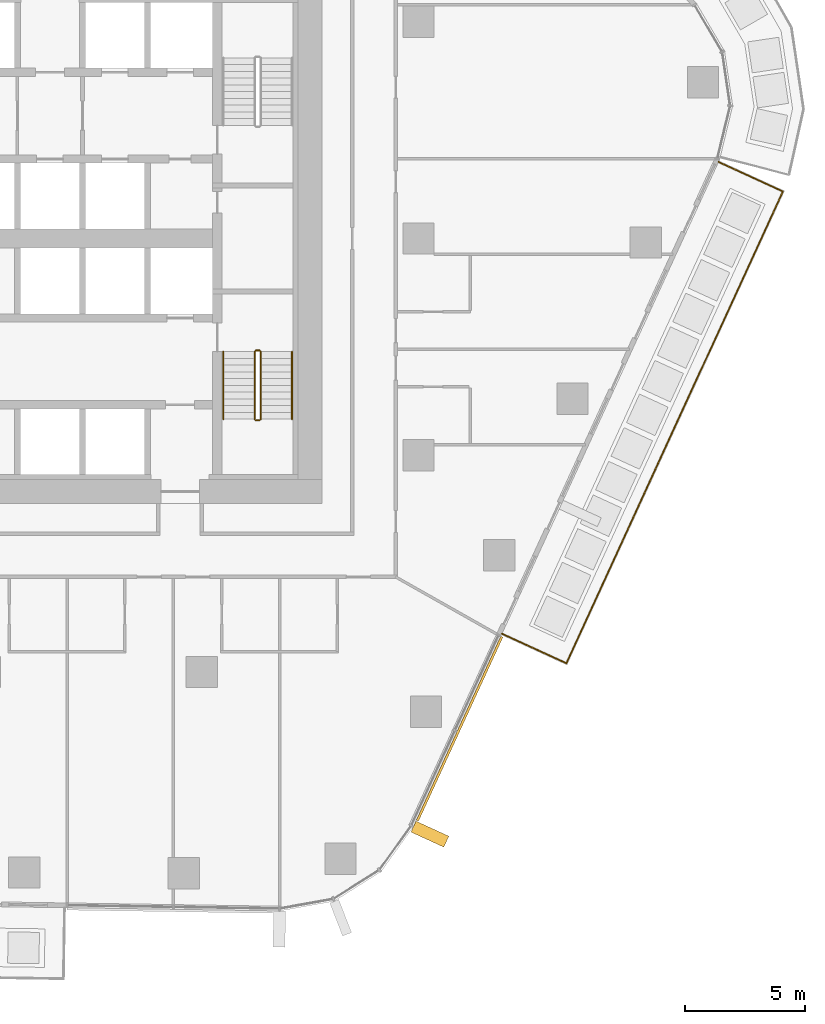
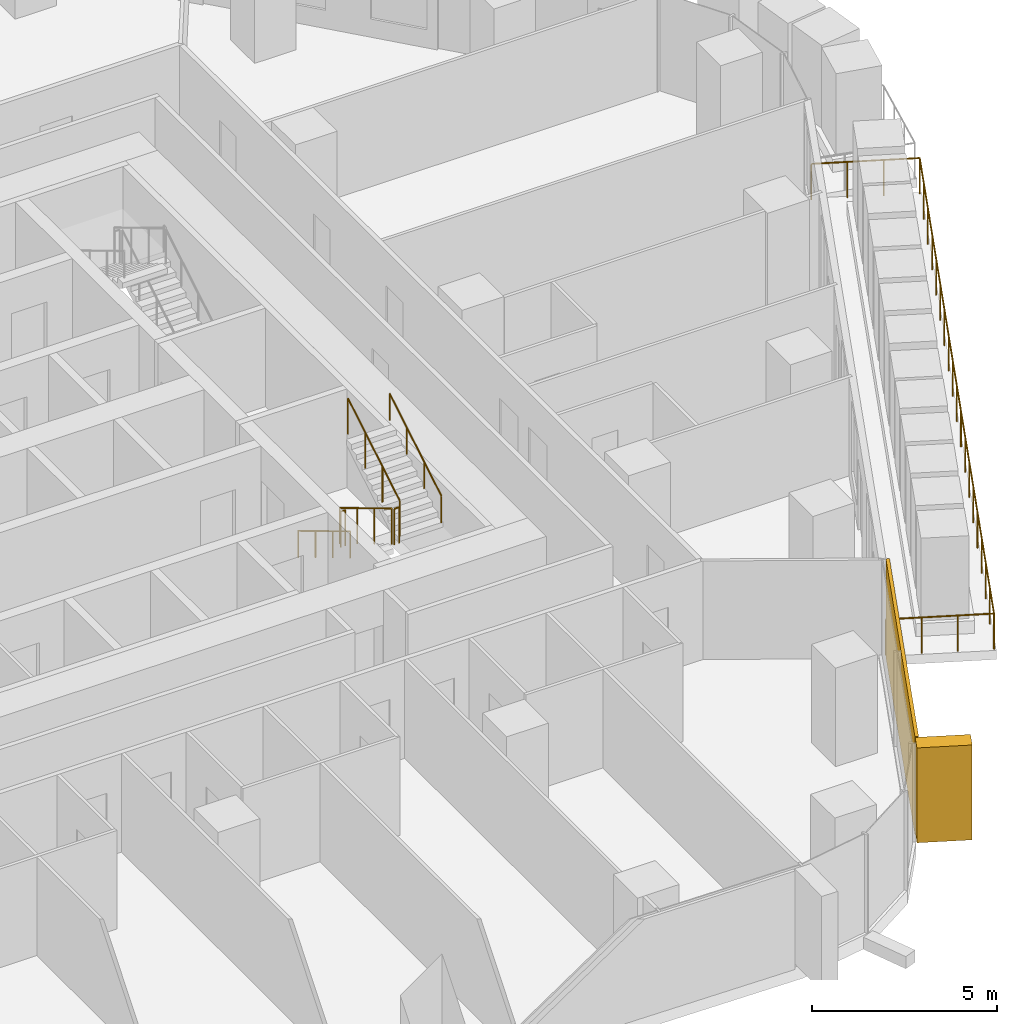
# One storey, part 21 of 24: 7 railings, 2 coverings, 1 element without a shape of its own.
"""IFC4 building model written with IfcOpenShell, lengths in metres."""

from ifc_helpers import new_model, si_unit, direction, frame, origin, origin_2d, place, context, subcontext, project, spatial, rectangle, circle, extrude, material, layer, layer_set, material_profile, profile_set, type_object, element, aggregate, save


model = new_model("IFC4")

# Units and contexts
model_context = context("Model", 3, precision=1e-05, world=origin(), true_north=direction((0.0, 1.0)))
body_context = subcontext(model_context, "Body", "Model", "MODEL_VIEW")
ifc_project = project(units=[si_unit("LENGTHUNIT", "METRE"), si_unit("AREAUNIT", "SQUARE_METRE"), si_unit("VOLUMEUNIT", "CUBIC_METRE"), si_unit("PLANEANGLEUNIT", "RADIAN"), si_unit("MASSUNIT", "GRAM", prefix="KILO")], contexts=[model_context])

# Site, building, storey
site_placement = place(None, origin())
site = spatial("IfcSite", under=ifc_project, at=site_placement, CompositionType="ELEMENT")
building_placement = place(site_placement, origin())
building = spatial("IfcBuilding", under=site, at=building_placement, Name="Dongbaek Canopy Tower", CompositionType="ELEMENT")
storey_placement = place(building_placement, frame((0.0, 0.0, 98.89990234375)))
storey = spatial("IfcBuildingStorey", under=building, at=storey_placement, Name="L20", CompositionType="ELEMENT", Elevation=98.89990234375)

# Railing
ifc_material_1 = material(Name="Stainless steel", Category="steel")
railing_type_1 = type_object("IfcRailingType", Name="Balcony balustrade 1200", PredefinedType="BALUSTRADE", material=ifc_material_1)
railing_1_placement = place(storey_placement, frame((21.466064453125, -16.409912109375, 0.0)))
element("IfcRailing", 1, at=railing_1_placement, inside=storey, type_object=railing_type_1, Name="Balcony guard L20 5", PredefinedType="BALUSTRADE", context=body_context, shape_type="SweptSolid", body=[
    extrude(circle(Radius=0.02392578125, at=origin_2d()), frame((0.0, 0.0, 1.17578125), z_axis=(0.908844513513, -0.417135050382, 0.0), x_axis=(0.417135050382, 0.908844513513, 0.0)), (0.0, 0.0, 1.0), 2.93994140625),
    extrude(circle(Radius=0.02392578125, at=origin_2d()), frame((2.671875, -1.226318359375, 1.17578125), z_axis=(0.41713053938, 0.908846583927, 0.0), x_axis=(-0.908846583927, 0.41713053938, 0.0)), (0.0, 0.0, 1.0), 21.551513671875),
    extrude(circle(Radius=0.02392578125, at=origin_2d()), frame((11.66162109375, 18.360595703125, 1.17578125), z_axis=(-0.908858961845, 0.417103569241, 0.0), x_axis=(-0.417103569241, -0.908858961845, 0.0)), (0.0, 0.0, 1.0), 2.940185546875),
    extrude(circle(Radius=0.02099609375, at=origin_2d()), origin(), (0.0, 0.0, 1.0), 1.15185546875),
    extrude(circle(Radius=0.02099609375, at=origin_2d()), frame((0.890625, -0.40869140625, 0.0)), (0.0, 0.0, 1.0), 1.15185546875),
    extrude(circle(Radius=0.02099609375, at=origin_2d()), frame((1.78125, -0.817626953125, 0.0)), (0.0, 0.0, 1.0), 1.15185546875),
    extrude(circle(Radius=0.02099609375, at=origin_2d()), frame((2.671875, -1.226318359375, 0.0)), (0.0, 0.0, 1.0), 1.15185546875),
    extrude(circle(Radius=0.02099609375, at=origin_2d()), frame((3.17138671875, -0.13818359375, 0.0)), (0.0, 0.0, 1.0), 1.15185546875),
    extrude(circle(Radius=0.02099609375, at=origin_2d()), frame((3.670654296875, 0.949951171875, 0.0)), (0.0, 0.0, 1.0), 1.15185546875),
    extrude(circle(Radius=0.02099609375, at=origin_2d()), frame((4.170166015625, 2.0380859375, 0.0)), (0.0, 0.0, 1.0), 1.15185546875),
    extrude(circle(Radius=0.02099609375, at=origin_2d()), frame((4.669677734375, 3.126220703125, 0.0)), (0.0, 0.0, 1.0), 1.15185546875),
    extrude(circle(Radius=0.02099609375, at=origin_2d()), frame((5.1689453125, 4.214599609375, 0.0)), (0.0, 0.0, 1.0), 1.15185546875),
    extrude(circle(Radius=0.02099609375, at=origin_2d()), frame((5.66845703125, 5.302734375, 0.0)), (0.0, 0.0, 1.0), 1.15185546875),
    extrude(circle(Radius=0.02099609375, at=origin_2d()), frame((6.16796875, 6.390869140625, 0.0)), (0.0, 0.0, 1.0), 1.15185546875),
    extrude(circle(Radius=0.02099609375, at=origin_2d()), frame((6.667236328125, 7.47900390625, 0.0)), (0.0, 0.0, 1.0), 1.15185546875),
    extrude(circle(Radius=0.02099609375, at=origin_2d()), frame((7.166748046875, 8.567138671875, 0.0)), (0.0, 0.0, 1.0), 1.15185546875),
    extrude(circle(Radius=0.02099609375, at=origin_2d()), frame((7.666259765625, 9.6552734375, 0.0)), (0.0, 0.0, 1.0), 1.15185546875),
    extrude(circle(Radius=0.02099609375, at=origin_2d()), frame((8.16552734375, 10.743408203125, 0.0)), (0.0, 0.0, 1.0), 1.15185546875),
    extrude(circle(Radius=0.02099609375, at=origin_2d()), frame((8.6650390625, 11.83154296875, 0.0)), (0.0, 0.0, 1.0), 1.15185546875),
    extrude(circle(Radius=0.02099609375, at=origin_2d()), frame((9.16455078125, 12.919677734375, 0.0)), (0.0, 0.0, 1.0), 1.15185546875),
    extrude(circle(Radius=0.02099609375, at=origin_2d()), frame((9.663818359375, 14.008056640625, 0.0)), (0.0, 0.0, 1.0), 1.15185546875),
    extrude(circle(Radius=0.02099609375, at=origin_2d()), frame((10.163330078125, 15.09619140625, 0.0)), (0.0, 0.0, 1.0), 1.15185546875),
    extrude(circle(Radius=0.02099609375, at=origin_2d()), frame((10.662841796875, 16.184326171875, 0.0)), (0.0, 0.0, 1.0), 1.15185546875),
    extrude(circle(Radius=0.02099609375, at=origin_2d()), frame((11.162109375, 17.2724609375, 0.0)), (0.0, 0.0, 1.0), 1.15185546875),
    extrude(circle(Radius=0.02099609375, at=origin_2d()), frame((11.66162109375, 18.360595703125, 0.0)), (0.0, 0.0, 1.0), 1.15185546875),
    extrude(circle(Radius=0.02099609375, at=origin_2d()), frame((10.77099609375, 18.769287109375, 0.0)), (0.0, 0.0, 1.0), 1.15185546875),
    extrude(circle(Radius=0.02099609375, at=origin_2d()), frame((9.880126953125, 19.17822265625, 0.0)), (0.0, 0.0, 1.0), 1.15185546875),
    extrude(circle(Radius=0.02099609375, at=origin_2d()), frame((8.989501953125, 19.5869140625, 0.0)), (0.0, 0.0, 1.0), 1.15185546875),
])

# Curtain wall, coverings
ifc_material_2 = material(Name="Aluminium 6063-T6 pale anodised", Category="aluminium")
ifc_layer_1 = layer(ifc_material_2, 0.199951171875)
ifc_layer_set_1 = layer_set([ifc_layer_1], Name="CW-1 unitised tower curtain wall")
curtain_wall_type = type_object("IfcCurtainWallType", Name="CW-1 unitised tower curtain wall", PredefinedType="NOTDEFINED", material=ifc_layer_set_1)
curtain_wall_placement = place(storey_placement, origin())
curtain_wall = element("IfcCurtainWall", 2, at=curtain_wall_placement, inside=storey, type_object=curtain_wall_type, Name="CW-1 curtain wall F5.1", PredefinedType="NOTDEFINED")
ifc_material_3 = material(Name="Perforated aluminium 6063-T6 pale metal screen", Category="aluminium")
ifc_layer_2 = layer(ifc_material_3, 0.10009765625)
ifc_layer_set_2 = layer_set([ifc_layer_2], Name="Facet screen FS1 100 pale metal")
covering_type_1 = type_object("IfcCoveringType", Name="Facet screen FS1 100 pale metal", PredefinedType="CLADDING", material=ifc_layer_set_2)
covering_1_placement = place(storey_placement, frame((19.7080078125, -20.35009765625, 0.0), z_axis=(0.0, 0.0, 1.0), x_axis=(0.417126438446, 0.908848466109, 0.0)))
covering_1 = element("IfcCovering", 3, at=covering_1_placement, type_object=covering_type_1, Name="Facet screen L20 F5", PredefinedType="CLADDING", context=body_context, shape_type="SweptSolid", body=[
    extrude(rectangle(XDim=8.408935546875, YDim=0.10009765625, at=origin_2d()), origin(), (0.0, 0.0, 1.0), 3.25),
])
ifc_material_4 = material(Name="Aluminium 6063-T6 pale metal fin", Category="aluminium")
ifc_material_profile = material_profile(ifc_material_4, rectangle(XDim=1.5, YDim=0.5, at=origin_2d()), Name="Fin FN1 500 x 1500 pale metal")
ifc_profile_set = profile_set([ifc_material_profile], Name="Aluminium 6063-T6 pale metal fin")
covering_type_2 = type_object("IfcCoveringType", Name="Fin FN1 500 x 1500 pale metal", PredefinedType="CLADDING", material=ifc_profile_set)
covering_2_placement = place(storey_placement, frame((18.47314453125, -24.728759765625, 0.1201171875), z_axis=(0.0, 0.0, 1.0), x_axis=(0.908848678728, -0.417125975185, 0.0)))
covering_2 = element("IfcCovering", 4, at=covering_2_placement, type_object=covering_type_2, Name="Fin F5.1.1", PredefinedType="CLADDING", context=body_context, shape_type="SweptSolid", body=[
    extrude(rectangle(XDim=1.5, YDim=0.5, at=origin_2d()), origin(), (0.0, 0.0, 1.0), 3.1298828125),
])
aggregate(curtain_wall, [covering_2, covering_1])

# Railings
ifc_material_5 = material(Name="Stainless steel tube and balusters", Category="steel")
railing_type_2 = type_object("IfcRailingType", Name="Stair guard 1200", PredefinedType="GUARDRAIL", material=ifc_material_5)
railing_2_placement = place(storey_placement, frame((11.199951171875, -4.699951171875, 0.168212890625)))
element("IfcRailing", 5, at=railing_2_placement, inside=storey, type_object=railing_type_2, Name="L20 ST-B stair guard 1", PredefinedType="GUARDRAIL", context=body_context, shape_type="SweptSolid", body=[
    extrude(circle(Radius=0.02392578125, at=origin_2d()), frame((0.0, 0.0, 1.17578125), z_axis=(0.0, -0.857242210791, 0.514913383045), x_axis=(1.0, 0.0, 0.0)), (0.0, 0.0, 1.0), 3.266357421875),
    extrude(circle(Radius=0.02099609375, at=origin_2d()), origin(), (0.0, 0.0, 1.0), 1.15185546875),
    extrude(circle(Radius=0.02099609375, at=origin_2d()), frame((0.0, -0.933349609375, 0.560546875)), (0.0, 0.0, 1.0), 1.15185546875),
    extrude(circle(Radius=0.02099609375, at=origin_2d()), frame((0.0, -1.86669921875, 1.121337890625)), (0.0, 0.0, 1.0), 1.15185546875),
    extrude(circle(Radius=0.02099609375, at=origin_2d()), frame((0.0, -2.800048828125, 1.681884765625)), (0.0, 0.0, 1.0), 1.15185546875),
])
railing_3_placement = place(storey_placement, frame((11.25, -7.550048828125, 1.85009765625)))
element("IfcRailing", 6, at=railing_3_placement, inside=storey, type_object=railing_type_2, Name="L20 ST-B stair guard 2", PredefinedType="GUARDRAIL", context=body_context, shape_type="SweptSolid", body=[
    extrude(circle(Radius=0.02392578125, at=origin_2d()), frame((0.0, 0.0, 1.17578125), z_axis=(1.0, 0.0, 0.0), x_axis=(0.0, 1.0, 0.0)), (0.0, 0.0, 1.0), 0.14990234375),
    extrude(circle(Radius=0.02099609375, at=origin_2d()), origin(), (0.0, 0.0, 1.0), 1.15185546875),
    extrude(circle(Radius=0.02099609375, at=origin_2d()), frame((0.14990234375, 0.0, 0.0)), (0.0, 0.0, 1.0), 1.15185546875),
])
railing_4_placement = place(storey_placement, frame((11.449951171875, -7.5, 2.018310546875)))
element("IfcRailing", 7, at=railing_4_placement, inside=storey, type_object=railing_type_2, Name="L20 ST-B stair guard 3", PredefinedType="GUARDRAIL", context=body_context, shape_type="SweptSolid", body=[
    extrude(circle(Radius=0.02392578125, at=origin_2d()), frame((0.0, 0.0, 1.17578125), z_axis=(0.0, 0.857242210791, 0.514913383045), x_axis=(-1.0, 0.0, 0.0)), (0.0, 0.0, 1.0), 3.266357421875),
    extrude(circle(Radius=0.02099609375, at=origin_2d()), origin(), (0.0, 0.0, 1.0), 1.15185546875),
    extrude(circle(Radius=0.02099609375, at=origin_2d()), frame((0.0, 0.933349609375, 0.560546875)), (0.0, 0.0, 1.0), 1.15185546875),
    extrude(circle(Radius=0.02099609375, at=origin_2d()), frame((0.0, 1.86669921875, 1.121337890625)), (0.0, 0.0, 1.0), 1.15185546875),
    extrude(circle(Radius=0.02099609375, at=origin_2d()), frame((0.0, 2.800048828125, 1.681884765625)), (0.0, 0.0, 1.0), 1.15185546875),
])
railing_5_placement = place(storey_placement, frame((11.25, -4.64990234375, 0.0)))
element("IfcRailing", 8, at=railing_5_placement, inside=storey, type_object=railing_type_2, Name="L20 ST-B stair guard 4", PredefinedType="GUARDRAIL", context=body_context, shape_type="SweptSolid", body=[
    extrude(circle(Radius=0.02392578125, at=origin_2d()), frame((0.0, 0.0, 1.17578125), z_axis=(1.0, 0.0, 0.0), x_axis=(0.0, 1.0, 0.0)), (0.0, 0.0, 1.0), 0.14990234375),
    extrude(circle(Radius=0.02099609375, at=origin_2d()), origin(), (0.0, 0.0, 1.0), 1.15185546875),
    extrude(circle(Radius=0.02099609375, at=origin_2d()), frame((0.14990234375, 0.0, 0.0)), (0.0, 0.0, 1.0), 1.15185546875),
])
ifc_material_6 = material(Name="Stainless steel tube", Category="steel")
railing_type_3 = type_object("IfcRailingType", Name="Stair handrail 900", PredefinedType="HANDRAIL", material=ifc_material_6)
railing_6_placement = place(storey_placement, frame((9.89990234375, -4.699951171875, 0.168212890625)))
element("IfcRailing", 9, at=railing_6_placement, inside=storey, type_object=railing_type_3, Name="L20 ST-B stair handrail 1", PredefinedType="HANDRAIL", context=body_context, shape_type="SweptSolid", body=[
    extrude(circle(Radius=0.02392578125, at=origin_2d()), frame((0.0, 0.0, 0.8759765625), z_axis=(0.0, -0.857242210791, 0.514913383045), x_axis=(1.0, 0.0, 0.0)), (0.0, 0.0, 1.0), 3.266357421875),
    extrude(circle(Radius=0.02099609375, at=origin_2d()), origin(), (0.0, 0.0, 1.0), 0.851806640625),
    extrude(circle(Radius=0.02099609375, at=origin_2d()), frame((0.0, -0.933349609375, 0.560546875)), (0.0, 0.0, 1.0), 0.851806640625),
    extrude(circle(Radius=0.02099609375, at=origin_2d()), frame((0.0, -1.86669921875, 1.121337890625)), (0.0, 0.0, 1.0), 0.851806640625),
    extrude(circle(Radius=0.02099609375, at=origin_2d()), frame((0.0, -2.800048828125, 1.681884765625)), (0.0, 0.0, 1.0), 0.851806640625),
])
railing_7_placement = place(storey_placement, frame((12.75, -7.5, 2.018310546875)))
element("IfcRailing", 10, at=railing_7_placement, inside=storey, type_object=railing_type_3, Name="L20 ST-B stair handrail 2", PredefinedType="HANDRAIL", context=body_context, shape_type="SweptSolid", body=[
    extrude(circle(Radius=0.02392578125, at=origin_2d()), frame((0.0, 0.0, 0.8759765625), z_axis=(0.0, 0.857242210791, 0.514913383045), x_axis=(-1.0, 0.0, 0.0)), (0.0, 0.0, 1.0), 3.266357421875),
    extrude(circle(Radius=0.02099609375, at=origin_2d()), origin(), (0.0, 0.0, 1.0), 0.851806640625),
    extrude(circle(Radius=0.02099609375, at=origin_2d()), frame((0.0, 0.933349609375, 0.560546875)), (0.0, 0.0, 1.0), 0.851806640625),
    extrude(circle(Radius=0.02099609375, at=origin_2d()), frame((0.0, 1.86669921875, 1.121337890625)), (0.0, 0.0, 1.0), 0.851806640625),
    extrude(circle(Radius=0.02099609375, at=origin_2d()), frame((0.0, 2.800048828125, 1.681884765625)), (0.0, 0.0, 1.0), 0.851806640625),
])

save(model, "model.ifc")
